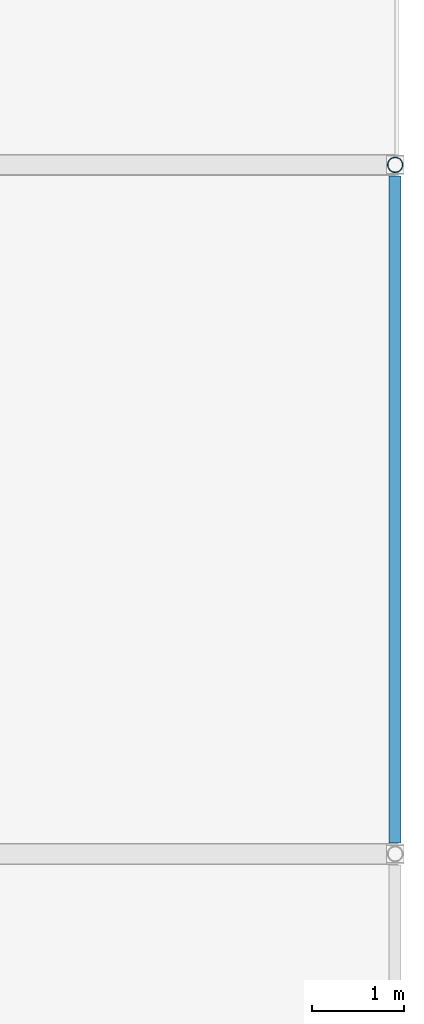
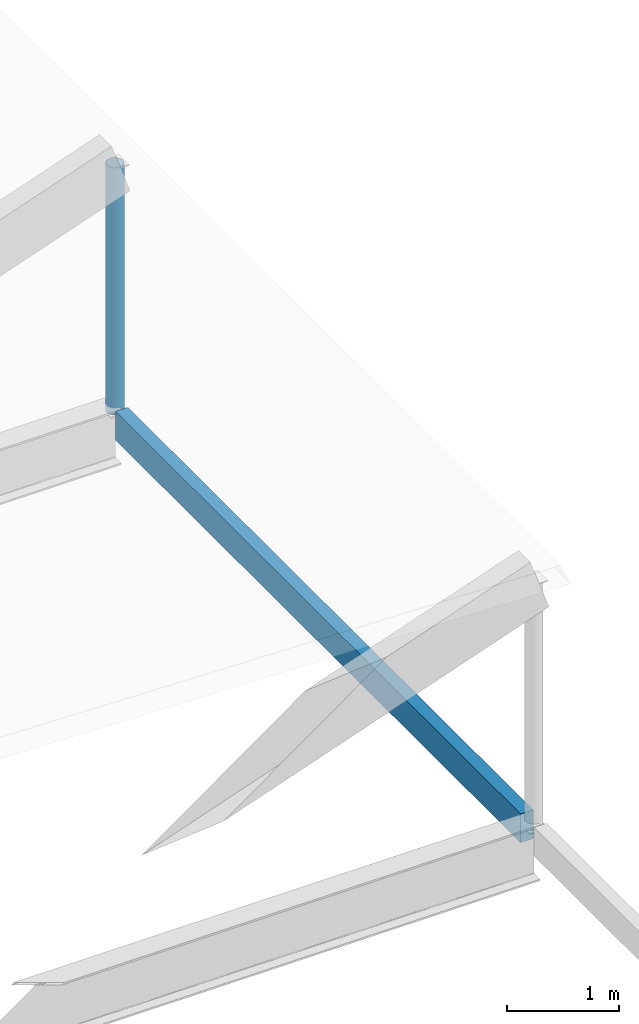
# One storey, part 16 of 19: 1 beam, 1 member.
"""IFC4 building model written with IfcOpenShell, lengths in metres."""

from ifc_helpers import new_model, si_unit, direction, frame, origin, origin_2d, place, context, subcontext, project, spatial, rectangle, hollow_circle, extrude, material, material_profile, profile_set, type_object, element, save


model = new_model("IFC4")

# Units and contexts
model_context = context("Model", 3, precision=1e-05, world=origin(), true_north=direction((0.0, 1.0)))
body_context = subcontext(model_context, "Body", "Model", "MODEL_VIEW")
ifc_project = project(units=[si_unit("LENGTHUNIT", "METRE"), si_unit("AREAUNIT", "SQUARE_METRE"), si_unit("VOLUMEUNIT", "CUBIC_METRE"), si_unit("PLANEANGLEUNIT", "RADIAN"), si_unit("MASSUNIT", "GRAM", prefix="KILO")], contexts=[model_context])

# Site, building, storey
site_placement = place(None, origin())
site = spatial("IfcSite", under=ifc_project, at=site_placement, CompositionType="ELEMENT")
building_placement = place(site_placement, origin())
building = spatial("IfcBuilding", under=site, at=building_placement, Name="Marnridge Secondary College", CompositionType="ELEMENT")
storey_placement = place(building_placement, frame((0.0, 0.0, 23.699951171875)))
storey = spatial("IfcBuildingStorey", under=building, at=storey_placement, Name="Roof Level", CompositionType="ELEMENT", Elevation=23.699951171875)

# Beam
ifc_material_1 = material(Name="Glulam timber GL18", Category="wood")
ifc_material_profile_1 = material_profile(ifc_material_1, rectangle(XDim=0.1298828125, YDim=0.31494140625, at=origin_2d()), Name="GL18 130x315")
ifc_profile_set_1 = profile_set([ifc_material_profile_1], Name="Glulam timber GL18")
beam_type = type_object("IfcBeamType", Name="BM-GL315-EXT", PredefinedType="BEAM", material=ifc_profile_set_1)
beam_placement = place(storey_placement, frame((97.800048828125, 60.1201171875, 1.142578125), z_axis=(0.0, 1.0, 0.0), x_axis=(-1.0, 0.0, 0.0)))
element("IfcBeam", 1, at=beam_placement, inside=storey, type_object=beam_type, Name="Beam BCAN-Roo-1504", PredefinedType="BEAM", context=body_context, shape_type="SweptSolid", body=[
    extrude(rectangle(XDim=0.1298828125, YDim=0.31494140625, at=origin_2d()), origin(), (0.0, 0.0, 1.0), 7.259765625),
])

# Member
ifc_material_2 = material(Name="Cold-formed steel Grade C350L0 (AS/NZS 1163, fy = 350 MPa)", Category="steel")
ifc_material_profile_2 = material_profile(ifc_material_2, hollow_circle(Radius=0.084228515625, WallThickness=0.00634765625, at=origin_2d()), Name="168.3x6.4CHS")
ifc_profile_set_2 = profile_set([ifc_material_profile_2], Name="Cold-formed steel Grade C350L0 (AS/NZS 1163, fy = 350 MPa)")
member_type = type_object("IfcMemberType", Name="MB-BR-CHS168E", PredefinedType="BRACE", material=ifc_profile_set_2)
member_placement = place(storey_placement, frame((97.800048828125, 67.5, 1.219970703125), z_axis=(0.0, 0.0, 1.0), x_axis=(1.0, 0.0, 0.0)))
element("IfcMember", 2, at=member_placement, inside=storey, type_object=member_type, Name="Canopy eave web strut MCAN-016", PredefinedType="BRACE", context=body_context, shape_type="SweptSolid", body=[
    extrude(hollow_circle(Radius=0.084228515625, WallThickness=0.00634765625, at=origin_2d()), origin(), (0.0, 0.0, 1.0), 2.705078125),
])

save(model, "model.ifc")
